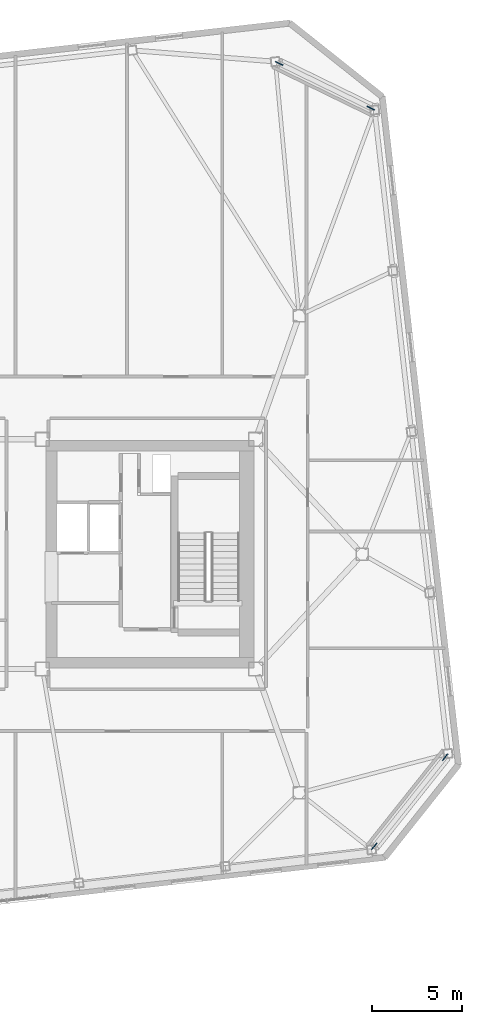
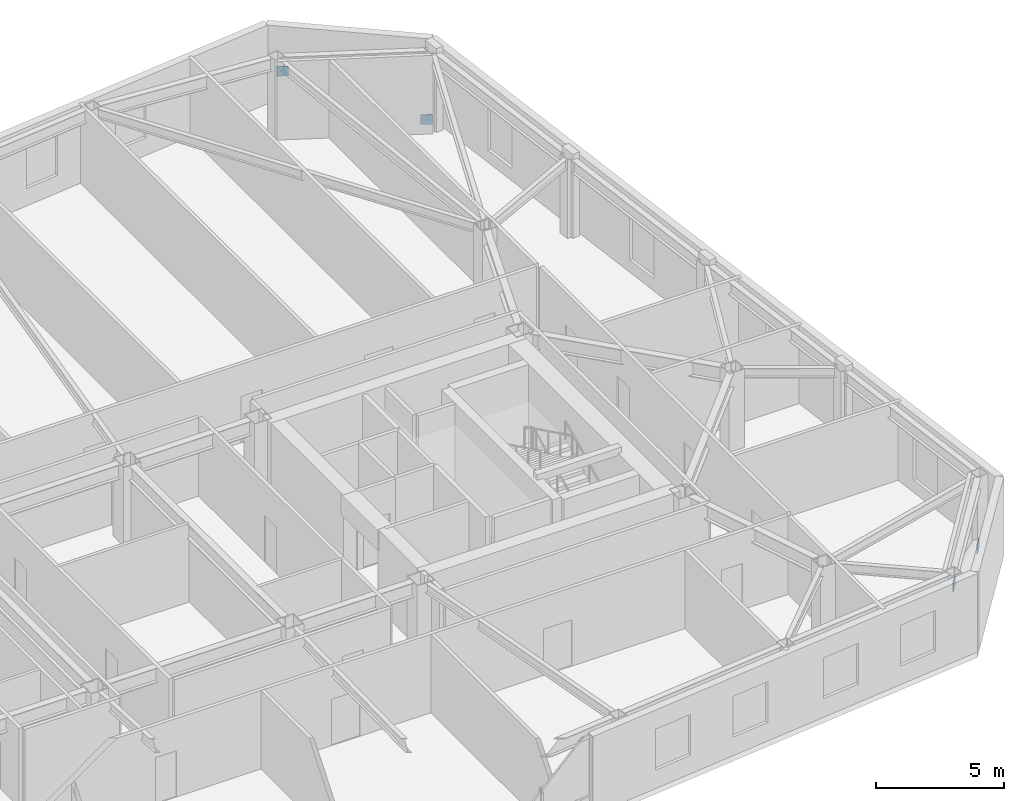
# One storey, part 18 of 19: 4 discrete accessories.
"""IFC4 building model written with IfcOpenShell, lengths in metres."""

from ifc_helpers import new_model, si_unit, direction, frame, origin, origin_2d, place, context, subcontext, project, spatial, rectangle, extrude, material, type_object, element, save


model = new_model("IFC4")

# Units and contexts
model_context = context("Model", 3, precision=1e-05, world=origin(), true_north=direction((0.0, 1.0)))
body_context = subcontext(model_context, "Body", "Model", "MODEL_VIEW")
ifc_project = project(units=[si_unit("LENGTHUNIT", "METRE"), si_unit("AREAUNIT", "SQUARE_METRE"), si_unit("VOLUMEUNIT", "CUBIC_METRE"), si_unit("PLANEANGLEUNIT", "RADIAN"), si_unit("MASSUNIT", "GRAM", prefix="KILO")], contexts=[model_context])

# Site, building, storey
site_placement = place(None, origin())
site = spatial("IfcSite", under=ifc_project, at=site_placement, CompositionType="ELEMENT")
building_placement = place(site_placement, origin())
building = spatial("IfcBuilding", under=site, at=building_placement, Name="Tavrogorsk Clinical Tower", CompositionType="ELEMENT")
storey_placement = place(building_placement, frame((0.0, 0.0, 255.0)))
storey = spatial("IfcBuildingStorey", under=building, at=storey_placement, Name="L59", CompositionType="ELEMENT", Elevation=255.0)

# Discrete accessories
ifc_material = material(Name="Structural steel S440", Category="steel")
discrete_accessory_type = type_object("IfcDiscreteAccessoryType", Name="GussetPlateBracket_25", PredefinedType="BRACKET", material=ifc_material)
for number, where, z_axis, x_axis, name in (
    (1, (32.5859375, -11.2197265625, 0.168212890625), (0.0, 0.0, 1.0), (-0.622514636638, -0.782608156852, 0.0), "L59 Brace Gusset Plate EXOCRN-L59-1-A"),
    (2, (28.6572265625, -16.15869140625, 2.761962890625), (0.0, 0.0, 1.0), (-0.622514636638, -0.782608156852, 0.0), "L59 Brace Gusset Plate EXOCRN-L59-1-B"),
    (3, (28.46630859375, 24.679443359375, 0.17724609375), (0.0, 0.0, 1.0), (-0.898794046299, 0.438371146789, 0.0), "L59 Brace Gusset Plate EXOCRN-L59-2-A"),
    (4, (23.399169921875, 27.150634765625, 2.7529296875), (0.0, 0.0, 1.0), (-0.898794046299, 0.438371146789, 0.0), "L59 Brace Gusset Plate EXOCRN-L59-2-B"),
):
    element("IfcDiscreteAccessory", number, at=place(storey_placement, frame(where, z_axis=z_axis, x_axis=x_axis)), inside=storey, type_object=discrete_accessory_type, Name=name, PredefinedType="BRACKET", context=body_context, shape_type="SweptSolid", body=[
        extrude(rectangle(XDim=0.4599609375, YDim=0.0400390625, at=origin_2d()), origin(), (0.0, 0.0, 1.0), 0.4599609375),
    ])

save(model, "model.ifc")
